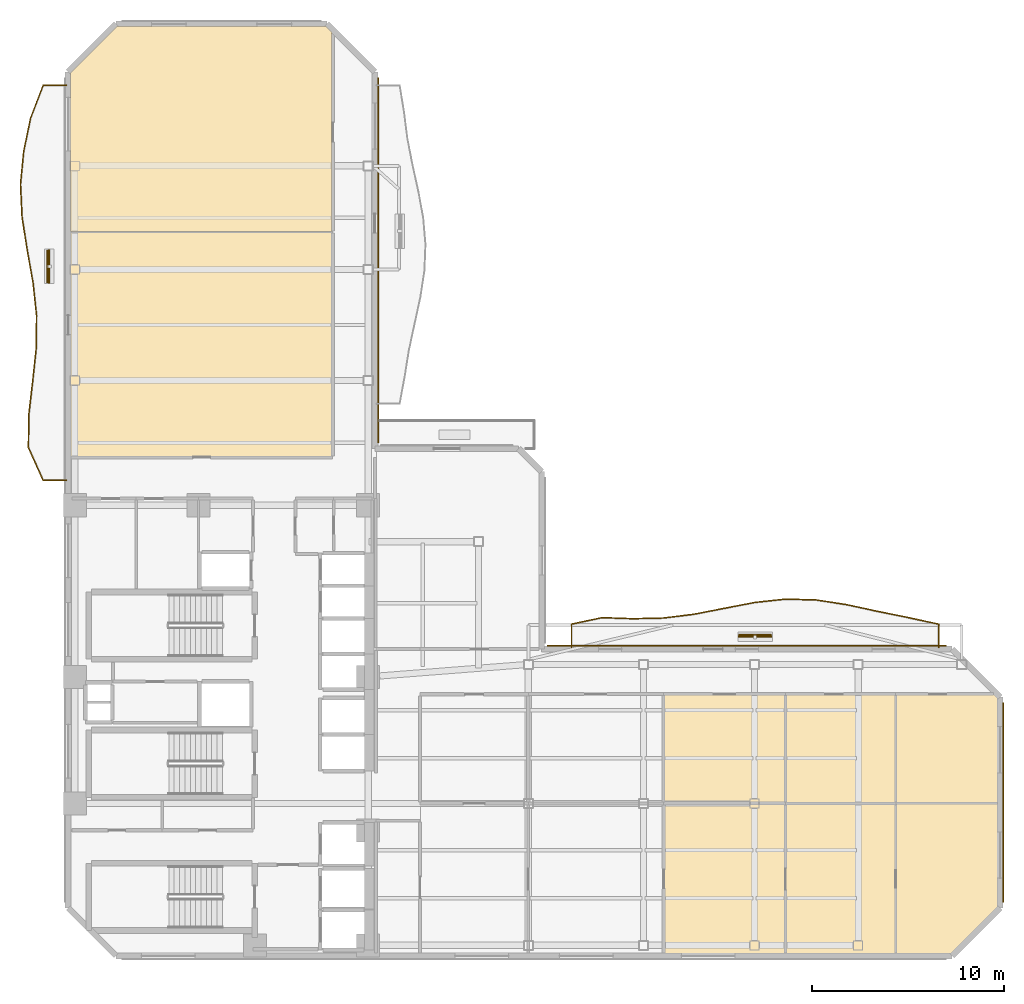
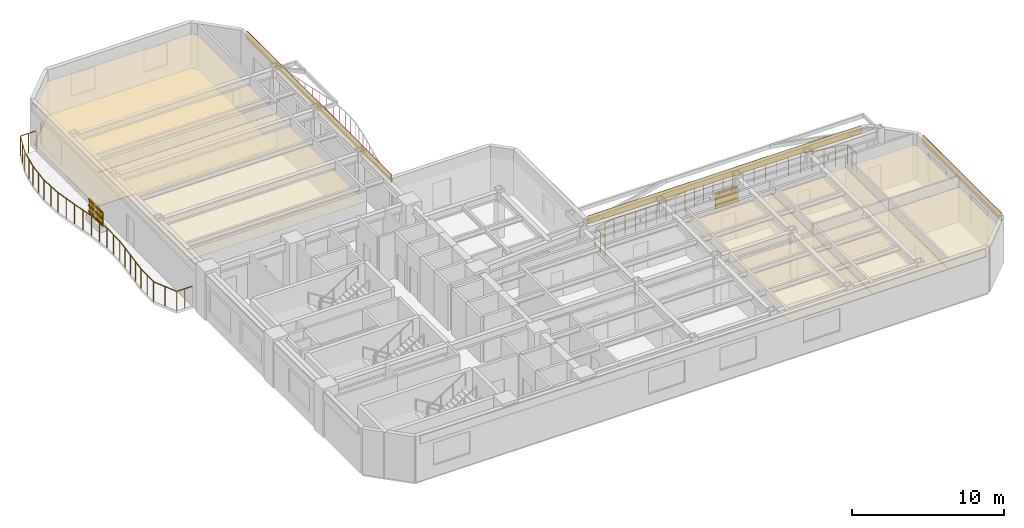
# One storey, part 11 of 12: 12 coverings, 8 shading devices, 2 railings.
"""IFC4 building model written with IfcOpenShell, lengths in metres."""

from ifc_helpers import new_model, si_unit, direction, frame, origin, origin_2d, place, context, subcontext, project, spatial, polyline, rectangle, outline, extrude, material, layer, layer_set, material_profile, profile_set, type_object, element, save


model = new_model("IFC4")

# Units and contexts
model_context = context("Model", 3, precision=1e-05, world=origin(), true_north=direction((0.0, 1.0)))
body_context = subcontext(model_context, "Body", "Model", "MODEL_VIEW")
ifc_project = project(units=[si_unit("LENGTHUNIT", "METRE"), si_unit("AREAUNIT", "SQUARE_METRE"), si_unit("VOLUMEUNIT", "CUBIC_METRE"), si_unit("PLANEANGLEUNIT", "RADIAN"), si_unit("MASSUNIT", "GRAM", prefix="KILO")], contexts=[model_context])

# Site, building, storey
site_placement = place(None, origin())
site = spatial("IfcSite", under=ifc_project, at=site_placement, CompositionType="ELEMENT")
building_placement = place(site_placement, origin())
building = spatial("IfcBuilding", under=site, at=building_placement, Name="Mawjaban Terraces University", CompositionType="ELEMENT")
storey_placement = place(building_placement, frame((0.0, 0.0, 134.60009765625)))
storey = spatial("IfcBuildingStorey", under=building, at=storey_placement, Name="L32", CompositionType="ELEMENT", Elevation=134.60009765625)

# Coverings
ifc_material_1 = material(Name="Acoustic mineral fibre ceiling tile", Category="masonry")
ifc_layer_1 = layer(ifc_material_1, 0.02001953125)
ifc_layer_set_1 = layer_set([ifc_layer_1], Name="Acoustic mineral fibre ceiling tile")
covering_type_1 = type_object("IfcCoveringType", Name="AcousticMineralCeiling_20", PredefinedType="CEILING", material=ifc_layer_set_1)
covering_1_placement = place(storey_placement, frame((0.0, 0.0, 2.75)))
element("IfcCovering", 1, at=covering_1_placement, inside=storey, type_object=covering_type_1, Name="L32 Design Studio 6 Acoustic Ceiling", PredefinedType="CEILING", context=body_context, shape_type="SweptSolid", body=[
    extrude(outline(polyline([(53.0849609375, 0.114990234375), (59.376953125, 0.114990234375), (59.376953125, 7.919921875), (53.0849609375, 7.919921875), (53.0849609375, 0.114990234375)])), origin(), (0.0, 0.0, 1.0), 0.02001953125),
])
covering_2_placement = place(storey_placement, frame((0.0, 0.0, 2.75)))
element("IfcCovering", 2, at=covering_2_placement, inside=storey, type_object=covering_type_1, Name="L32 Computational Laboratory 7 Acoustic Ceiling", PredefinedType="CEILING", context=body_context, shape_type="SweptSolid", body=[
    extrude(outline(polyline([(59.376953125, 7.97998046875), (59.376953125, 13.6201171875), (53.0849609375, 13.6201171875), (53.0849609375, 7.97998046875), (59.376953125, 7.97998046875)])), origin(), (0.0, 0.0, 1.0), 0.02001953125),
])
covering_3_placement = place(storey_placement, frame((0.0, 0.0, 2.75)))
element("IfcCovering", 3, at=covering_3_placement, inside=storey, type_object=covering_type_1, Name="L32 Teaching Laboratory 8 Acoustic Ceiling", PredefinedType="CEILING", context=body_context, shape_type="SweptSolid", body=[
    extrude(outline(polyline([(59.43701171875, 0.114990234375), (65.125, 0.114990234375), (65.125, 7.919921875), (59.43701171875, 7.919921875), (59.43701171875, 0.114990234375)])), origin(), (0.0, 0.0, 1.0), 0.02001953125),
])
covering_4_placement = place(storey_placement, frame((0.0, 0.0, 2.75)))
element("IfcCovering", 4, at=covering_4_placement, inside=storey, type_object=covering_type_1, Name="L32 Student Tea Pantry 9 Acoustic Ceiling", PredefinedType="CEILING", context=body_context, shape_type="SweptSolid", body=[
    extrude(outline(polyline([(65.125, 7.97998046875), (65.125, 13.6201171875), (59.43701171875, 13.6201171875), (59.43701171875, 7.97998046875), (65.125, 7.97998046875)])), origin(), (0.0, 0.0, 1.0), 0.02001953125),
])
covering_5_placement = place(storey_placement, frame((0.0, 0.0, 2.75)))
element("IfcCovering", 5, at=covering_5_placement, inside=storey, type_object=covering_type_1, Name="L32 Student Tea Pantry 10 Acoustic Ceiling", PredefinedType="CEILING", context=body_context, shape_type="SweptSolid", body=[
    extrude(outline(polyline([(65.18505859375, 0.114990234375), (68.052978515625, 0.114990234375), (70.485107421875, 2.547119140625), (70.485107421875, 7.919921875), (65.18505859375, 7.919921875), (65.18505859375, 0.114990234375)])), origin(), (0.0, 0.0, 1.0), 0.02001953125),
])
covering_6_placement = place(storey_placement, frame((0.0, 0.0, 2.75)))
element("IfcCovering", 6, at=covering_6_placement, inside=storey, type_object=covering_type_1, Name="L32 Faculty Office 11 Acoustic Ceiling", PredefinedType="CEILING", context=body_context, shape_type="SweptSolid", body=[
    extrude(outline(polyline([(70.485107421875, 7.97998046875), (70.485107421875, 13.452880859375), (70.318115234375, 13.6201171875), (65.18505859375, 13.6201171875), (65.18505859375, 7.97998046875), (70.485107421875, 7.97998046875)])), origin(), (0.0, 0.0, 1.0), 0.02001953125),
])
covering_7_placement = place(storey_placement, frame((0.0, 0.0, 2.75)))
element("IfcCovering", 7, at=covering_7_placement, inside=storey, type_object=covering_type_1, Name="L32 Departmental Office 12 Acoustic Ceiling", PredefinedType="CEILING", context=body_context, shape_type="SweptSolid", body=[
    extrude(outline(polyline([(22.114990234375, 37.721923828125), (22.114990234375, 26.030029296875), (35.77001953125, 26.030029296875), (35.77001953125, 37.721923828125), (22.114990234375, 37.721923828125)])), origin(), (0.0, 0.0, 1.0), 0.02001953125),
])
covering_8_placement = place(storey_placement, frame((0.0, 0.0, 2.75)))
element("IfcCovering", 8, at=covering_8_placement, inside=storey, type_object=covering_type_1, Name="L32 Classroom 13 Acoustic Ceiling", PredefinedType="CEILING", context=body_context, shape_type="SweptSolid", body=[
    extrude(outline(polyline([(35.77001953125, 48.16796875), (35.452880859375, 48.485107421875), (24.547119140625, 48.485107421875), (22.114990234375, 46.052978515625), (22.114990234375, 37.781982421875), (35.77001953125, 37.781982421875), (35.77001953125, 48.16796875)])), origin(), (0.0, 0.0, 1.0), 0.02001953125),
])

# Railings
ifc_material_2 = material(Name="Galvanised powder-coated steel S355", Category="steel")
railing_type = type_object("IfcRailingType", Name="BalconyBalustrade_1600", PredefinedType="BALUSTRADE", material=ifc_material_2)
railing_1_placement = place(storey_placement, frame((21.919921875, 24.800048828125, 0.0)))
element("IfcRailing", 9, at=railing_1_placement, inside=storey, type_object=railing_type, Name="L32 Balcony Guardrail west", PredefinedType="BALUSTRADE", context=body_context, shape_type="SweptSolid", body=[
    extrude(rectangle(XDim=0.048095703125, YDim=0.048095703125, at=origin_2d()), frame((0.0, 0.0, 1.576171875), z_axis=(-1.0, 0.0, 0.0), x_axis=(0.0, -1.0, 0.0)), (0.0, 0.0, 1.0), 1.219970703125),
    extrude(rectangle(XDim=0.048095703125, YDim=0.048095703125, at=origin_2d()), frame((-1.219970703125, 0.0, 1.576171875), z_axis=(-0.410057297483, 0.912059763821, 0.0), x_axis=(-0.912059763821, -0.410057297483, 0.0)), (0.0, 0.0, 1.0), 1.882568359375),
    extrude(rectangle(XDim=0.048095703125, YDim=0.048095703125, at=origin_2d()), frame((-1.991943359375, 1.717041015625, 1.576171875), z_axis=(0.012804869278, 0.999918014301, 0.0), x_axis=(-0.999918014301, 0.012804869278, 0.0)), (0.0, 0.0, 1.0), 1.716064453125),
    extrude(rectangle(XDim=0.048095703125, YDim=0.048095703125, at=origin_2d()), frame((-1.969970703125, 3.432861328125, 1.576171875), z_axis=(0.114554410221, 0.993416975443, 0.0), x_axis=(-0.993416975443, 0.114554410221, 0.0)), (0.0, 0.0, 1.0), 1.728515625),
    extrude(rectangle(XDim=0.048095703125, YDim=0.048095703125, at=origin_2d()), frame((-1.77197265625, 5.14990234375, 1.576171875), z_axis=(0.106598017622, 0.994302198851, 0.0), x_axis=(-0.994302198851, 0.106598017622, 0.0)), (0.0, 0.0, 1.0), 1.726806640625),
    extrude(rectangle(XDim=0.048095703125, YDim=0.048095703125, at=origin_2d()), frame((-1.587890625, 6.866943359375, 1.576171875), z_axis=(0.012803047857, 0.999918037624, 0.0), x_axis=(-0.999918037624, 0.012803047857, 0.0)), (0.0, 0.0, 1.0), 1.71630859375),
    extrude(rectangle(XDim=0.048095703125, YDim=0.048095703125, at=origin_2d()), frame((-1.56591796875, 8.5830078125, 1.576171875), z_axis=(-0.106598017622, 0.994302198851, 0.0), x_axis=(-0.994302198851, -0.106598017622, 0.0)), (0.0, 0.0, 1.0), 1.726806640625),
    extrude(rectangle(XDim=0.048095703125, YDim=0.048095703125, at=origin_2d()), frame((-1.75, 10.300048828125, 1.576171875), z_axis=(-0.175965058491, 0.984396413134, 0.0), x_axis=(-0.984396413134, -0.175965058491, 0.0)), (0.0, 0.0, 1.0), 1.743896484375),
    extrude(rectangle(XDim=0.048095703125, YDim=0.048095703125, at=origin_2d()), frame((-2.056884765625, 12.016845703125, 1.576171875), z_axis=(-0.154338288951, 0.988018062873, 0.0), x_axis=(-0.988018062873, -0.154338288951, 0.0)), (0.0, 0.0, 1.0), 1.73681640625),
    extrude(rectangle(XDim=0.048095703125, YDim=0.048095703125, at=origin_2d()), frame((-2.324951171875, 13.73291015625, 1.576171875), z_axis=(-0.046586645091, 0.998914252826, 0.0), x_axis=(-0.998914252826, -0.046586645091, 0.0)), (0.0, 0.0, 1.0), 1.718994140625),
    extrude(rectangle(XDim=0.048095703125, YDim=0.048095703125, at=origin_2d()), frame((-2.405029296875, 15.449951171875, 1.576171875), z_axis=(0.096799075364, 0.995303943029, 0.0), x_axis=(-0.995303943029, 0.096799075364, 0.0)), (0.0, 0.0, 1.0), 1.72509765625),
    extrude(rectangle(XDim=0.048095703125, YDim=0.048095703125, at=origin_2d()), frame((-2.238037109375, 17.1669921875, 1.576171875), z_axis=(0.204304609806, 0.97890736355, 0.0), x_axis=(-0.97890736355, 0.204304609806, 0.0)), (0.0, 0.0, 1.0), 1.7529296875),
    extrude(rectangle(XDim=0.048095703125, YDim=0.048095703125, at=origin_2d()), frame((-1.8798828125, 18.883056640625, 1.576171875), z_axis=(0.358792280253, 0.933417430537, 0.0), x_axis=(-0.933417430537, 0.358792280253, 0.0)), (0.0, 0.0, 1.0), 1.83935546875),
    extrude(rectangle(XDim=0.048095703125, YDim=0.048095703125, at=origin_2d()), frame((-1.219970703125, 20.599853515625, 1.576171875), z_axis=(1.0, 0.0, 0.0), x_axis=(0.0, 1.0, 0.0)), (0.0, 0.0, 1.0), 1.219970703125),
    extrude(rectangle(XDim=0.0419921875, YDim=0.0419921875, at=origin_2d()), origin(), (0.0, 0.0, 1.0), 1.552001953125),
    extrude(rectangle(XDim=0.0419921875, YDim=0.0419921875, at=origin_2d()), frame((-0.60986328125, 0.0, 0.0)), (0.0, 0.0, 1.0), 1.552001953125),
    extrude(rectangle(XDim=0.0419921875, YDim=0.0419921875, at=origin_2d()), frame((-1.219970703125, 0.0, 0.0)), (0.0, 0.0, 1.0), 1.552001953125),
    extrude(rectangle(XDim=0.0419921875, YDim=0.0419921875, at=origin_2d()), frame((-1.60595703125, 0.8583984375, 0.0)), (0.0, 0.0, 1.0), 1.552001953125),
    extrude(rectangle(XDim=0.0419921875, YDim=0.0419921875, at=origin_2d()), frame((-1.991943359375, 1.717041015625, 0.0)), (0.0, 0.0, 1.0), 1.552001953125),
    extrude(rectangle(XDim=0.0419921875, YDim=0.0419921875, at=origin_2d()), frame((-1.98095703125, 2.574951171875, 0.0)), (0.0, 0.0, 1.0), 1.552001953125),
    extrude(rectangle(XDim=0.0419921875, YDim=0.0419921875, at=origin_2d()), frame((-1.969970703125, 3.432861328125, 0.0)), (0.0, 0.0, 1.0), 1.552001953125),
    extrude(rectangle(XDim=0.0419921875, YDim=0.0419921875, at=origin_2d()), frame((-1.87109375, 4.29150390625, 0.0)), (0.0, 0.0, 1.0), 1.552001953125),
    extrude(rectangle(XDim=0.0419921875, YDim=0.0419921875, at=origin_2d()), frame((-1.77197265625, 5.14990234375, 0.0)), (0.0, 0.0, 1.0), 1.552001953125),
    extrude(rectangle(XDim=0.0419921875, YDim=0.0419921875, at=origin_2d()), frame((-1.679931640625, 6.00830078125, 0.0)), (0.0, 0.0, 1.0), 1.552001953125),
    extrude(rectangle(XDim=0.0419921875, YDim=0.0419921875, at=origin_2d()), frame((-1.587890625, 6.866943359375, 0.0)), (0.0, 0.0, 1.0), 1.552001953125),
    extrude(rectangle(XDim=0.0419921875, YDim=0.0419921875, at=origin_2d()), frame((-1.576904296875, 7.72509765625, 0.0)), (0.0, 0.0, 1.0), 1.552001953125),
    extrude(rectangle(XDim=0.0419921875, YDim=0.0419921875, at=origin_2d()), frame((-1.56591796875, 8.5830078125, 0.0)), (0.0, 0.0, 1.0), 1.552001953125),
    extrude(rectangle(XDim=0.0419921875, YDim=0.0419921875, at=origin_2d()), frame((-1.657958984375, 9.44140625, 0.0)), (0.0, 0.0, 1.0), 1.552001953125),
    extrude(rectangle(XDim=0.0419921875, YDim=0.0419921875, at=origin_2d()), frame((-1.75, 10.300048828125, 0.0)), (0.0, 0.0, 1.0), 1.552001953125),
    extrude(rectangle(XDim=0.0419921875, YDim=0.0419921875, at=origin_2d()), frame((-1.9033203125, 11.158447265625, 0.0)), (0.0, 0.0, 1.0), 1.552001953125),
    extrude(rectangle(XDim=0.0419921875, YDim=0.0419921875, at=origin_2d()), frame((-2.056884765625, 12.016845703125, 0.0)), (0.0, 0.0, 1.0), 1.552001953125),
    extrude(rectangle(XDim=0.0419921875, YDim=0.0419921875, at=origin_2d()), frame((-2.19091796875, 12.875, 0.0)), (0.0, 0.0, 1.0), 1.552001953125),
    extrude(rectangle(XDim=0.0419921875, YDim=0.0419921875, at=origin_2d()), frame((-2.324951171875, 13.73291015625, 0.0)), (0.0, 0.0, 1.0), 1.552001953125),
    extrude(rectangle(XDim=0.0419921875, YDim=0.0419921875, at=origin_2d()), frame((-2.364990234375, 14.59130859375, 0.0)), (0.0, 0.0, 1.0), 1.552001953125),
    extrude(rectangle(XDim=0.0419921875, YDim=0.0419921875, at=origin_2d()), frame((-2.405029296875, 15.449951171875, 0.0)), (0.0, 0.0, 1.0), 1.552001953125),
    extrude(rectangle(XDim=0.0419921875, YDim=0.0419921875, at=origin_2d()), frame((-2.321533203125, 16.30859375, 0.0)), (0.0, 0.0, 1.0), 1.552001953125),
    extrude(rectangle(XDim=0.0419921875, YDim=0.0419921875, at=origin_2d()), frame((-2.238037109375, 17.1669921875, 0.0)), (0.0, 0.0, 1.0), 1.552001953125),
    extrude(rectangle(XDim=0.0419921875, YDim=0.0419921875, at=origin_2d()), frame((-2.05908203125, 18.02490234375, 0.0)), (0.0, 0.0, 1.0), 1.552001953125),
    extrude(rectangle(XDim=0.0419921875, YDim=0.0419921875, at=origin_2d()), frame((-1.8798828125, 18.883056640625, 0.0)), (0.0, 0.0, 1.0), 1.552001953125),
    extrude(rectangle(XDim=0.0419921875, YDim=0.0419921875, at=origin_2d()), frame((-1.5498046875, 19.741455078125, 0.0)), (0.0, 0.0, 1.0), 1.552001953125),
    extrude(rectangle(XDim=0.0419921875, YDim=0.0419921875, at=origin_2d()), frame((-1.219970703125, 20.599853515625, 0.0)), (0.0, 0.0, 1.0), 1.552001953125),
    extrude(rectangle(XDim=0.0419921875, YDim=0.0419921875, at=origin_2d()), frame((-0.60986328125, 20.599853515625, 0.0)), (0.0, 0.0, 1.0), 1.552001953125),
    extrude(rectangle(XDim=0.0419921875, YDim=0.0419921875, at=origin_2d()), frame((0.0, 20.599853515625, 0.0)), (0.0, 0.0, 1.0), 1.552001953125),
])
railing_2_placement = place(storey_placement, frame((48.2509765625, 16.080078125, 0.0)))
element("IfcRailing", 10, at=railing_2_placement, inside=storey, type_object=railing_type, Name="L32 Balcony Guardrail inner_north", PredefinedType="BALUSTRADE", context=body_context, shape_type="SweptSolid", body=[
    extrude(rectangle(XDim=0.048095703125, YDim=0.048095703125, at=origin_2d()), frame((0.0, 0.0, 1.576171875), z_axis=(0.0, 1.0, 0.0), x_axis=(-1.0, 0.0, 0.0)), (0.0, 0.0, 1.0), 1.219970703125),
    extrude(rectangle(XDim=0.048095703125, YDim=0.048095703125, at=origin_2d()), frame((0.0, 1.219970703125, 1.576171875), z_axis=(0.977918293368, 0.208987586941, 0.0), x_axis=(-0.208987586941, 0.977918293368, 0.0)), (0.0, 0.0, 1.0), 1.632080078125),
    extrude(rectangle(XDim=0.048095703125, YDim=0.048095703125, at=origin_2d()), frame((1.595947265625, 1.56103515625, 1.576171875), z_axis=(0.99938084858, -0.035184080082, 0.0), x_axis=(0.035184080082, 0.99938084858, 0.0)), (0.0, 0.0, 1.0), 1.595947265625),
    extrude(rectangle(XDim=0.048095703125, YDim=0.048095703125, at=origin_2d()), frame((3.19091796875, 1.5048828125, 1.576171875), z_axis=(0.999757536046, 0.022019743835, 0.0), x_axis=(-0.022019743835, 0.999757536046, 0.0)), (0.0, 0.0, 1.0), 1.5966796875),
    extrude(rectangle(XDim=0.048095703125, YDim=0.048095703125, at=origin_2d()), frame((4.787109375, 1.5400390625, 1.576171875), z_axis=(0.992484367413, 0.122371485411, 0.0), x_axis=(-0.122371485411, 0.992484367413, 0.0)), (0.0, 0.0, 1.0), 1.608154296875),
    extrude(rectangle(XDim=0.048095703125, YDim=0.048095703125, at=origin_2d()), frame((6.383056640625, 1.73681640625, 1.576171875), z_axis=(0.981420320551, 0.191870149865, 0.0), x_axis=(-0.191870149865, 0.981420320551, 0.0)), (0.0, 0.0, 1.0), 1.626220703125),
    extrude(rectangle(XDim=0.048095703125, YDim=0.048095703125, at=origin_2d()), frame((7.97900390625, 2.048828125, 1.576171875), z_axis=(0.981870131855, 0.189554857947, 0.0), x_axis=(-0.189554857947, 0.981870131855, 0.0)), (0.0, 0.0, 1.0), 1.62548828125),
    extrude(rectangle(XDim=0.048095703125, YDim=0.048095703125, at=origin_2d()), frame((9.574951171875, 2.35693359375, 1.576171875), z_axis=(0.994372890684, 0.105936557771, 0.0), x_axis=(-0.105936557771, 0.994372890684, 0.0)), (0.0, 0.0, 1.0), 1.60400390625),
    extrude(rectangle(XDim=0.048095703125, YDim=0.048095703125, at=origin_2d()), frame((11.169921875, 2.52685546875, 1.576171875), z_axis=(0.999604216278, -0.028132024441, 0.0), x_axis=(0.028132024441, 0.999604216278, 0.0)), (0.0, 0.0, 1.0), 1.596923828125),
    extrude(rectangle(XDim=0.048095703125, YDim=0.048095703125, at=origin_2d()), frame((12.76611328125, 2.48193359375, 1.576171875), z_axis=(0.988319203568, -0.152398004772, 0.0), x_axis=(0.152398004772, 0.988319203568, 0.0)), (0.0, 0.0, 1.0), 1.61474609375),
    extrude(rectangle(XDim=0.048095703125, YDim=0.048095703125, at=origin_2d()), frame((14.362060546875, 2.23583984375, 1.576171875), z_axis=(0.977179062117, -0.212417232258, 0.0), x_axis=(0.212417232258, 0.977179062117, 0.0)), (0.0, 0.0, 1.0), 1.63330078125),
    extrude(rectangle(XDim=0.048095703125, YDim=0.048095703125, at=origin_2d()), frame((15.9580078125, 1.888916015625, 1.576171875), z_axis=(0.979987776807, -0.199057673324, 0.0), x_axis=(0.199057673324, 0.979987776807, 0.0)), (0.0, 0.0, 1.0), 1.62744140625),
    extrude(rectangle(XDim=0.048095703125, YDim=0.048095703125, at=origin_2d()), frame((17.552978515625, 1.56494140625, 1.576171875), z_axis=(0.977426684775, -0.211274882299, 0.0), x_axis=(0.211274882299, 0.977426684775, 0.0)), (0.0, 0.0, 1.0), 1.6328125),
    extrude(rectangle(XDim=0.048095703125, YDim=0.048095703125, at=origin_2d()), frame((19.14892578125, 1.219970703125, 1.576171875), z_axis=(0.0, -1.0, 0.0), x_axis=(1.0, 0.0, 0.0)), (0.0, 0.0, 1.0), 1.219970703125),
    extrude(rectangle(XDim=0.0419921875, YDim=0.0419921875, at=origin_2d()), origin(), (0.0, 0.0, 1.0), 1.552001953125),
    extrude(rectangle(XDim=0.0419921875, YDim=0.0419921875, at=origin_2d()), frame((0.0, 0.60986328125, 0.0)), (0.0, 0.0, 1.0), 1.552001953125),
    extrude(rectangle(XDim=0.0419921875, YDim=0.0419921875, at=origin_2d()), frame((0.0, 1.219970703125, 0.0)), (0.0, 0.0, 1.0), 1.552001953125),
    extrude(rectangle(XDim=0.0419921875, YDim=0.0419921875, at=origin_2d()), frame((0.7978515625, 1.390625, 0.0)), (0.0, 0.0, 1.0), 1.552001953125),
    extrude(rectangle(XDim=0.0419921875, YDim=0.0419921875, at=origin_2d()), frame((1.595947265625, 1.56103515625, 0.0)), (0.0, 0.0, 1.0), 1.552001953125),
    extrude(rectangle(XDim=0.0419921875, YDim=0.0419921875, at=origin_2d()), frame((2.3935546875, 1.532958984375, 0.0)), (0.0, 0.0, 1.0), 1.552001953125),
    extrude(rectangle(XDim=0.0419921875, YDim=0.0419921875, at=origin_2d()), frame((3.19091796875, 1.5048828125, 0.0)), (0.0, 0.0, 1.0), 1.552001953125),
    extrude(rectangle(XDim=0.0419921875, YDim=0.0419921875, at=origin_2d()), frame((3.989013671875, 1.5224609375, 0.0)), (0.0, 0.0, 1.0), 1.552001953125),
    extrude(rectangle(XDim=0.0419921875, YDim=0.0419921875, at=origin_2d()), frame((4.787109375, 1.5400390625, 0.0)), (0.0, 0.0, 1.0), 1.552001953125),
    extrude(rectangle(XDim=0.0419921875, YDim=0.0419921875, at=origin_2d()), frame((5.5849609375, 1.638427734375, 0.0)), (0.0, 0.0, 1.0), 1.552001953125),
    extrude(rectangle(XDim=0.0419921875, YDim=0.0419921875, at=origin_2d()), frame((6.383056640625, 1.73681640625, 0.0)), (0.0, 0.0, 1.0), 1.552001953125),
    extrude(rectangle(XDim=0.0419921875, YDim=0.0419921875, at=origin_2d()), frame((7.18115234375, 1.892822265625, 0.0)), (0.0, 0.0, 1.0), 1.552001953125),
    extrude(rectangle(XDim=0.0419921875, YDim=0.0419921875, at=origin_2d()), frame((7.97900390625, 2.048828125, 0.0)), (0.0, 0.0, 1.0), 1.552001953125),
    extrude(rectangle(XDim=0.0419921875, YDim=0.0419921875, at=origin_2d()), frame((8.77685546875, 2.202880859375, 0.0)), (0.0, 0.0, 1.0), 1.552001953125),
    extrude(rectangle(XDim=0.0419921875, YDim=0.0419921875, at=origin_2d()), frame((9.574951171875, 2.35693359375, 0.0)), (0.0, 0.0, 1.0), 1.552001953125),
    extrude(rectangle(XDim=0.0419921875, YDim=0.0419921875, at=origin_2d()), frame((10.37255859375, 2.44189453125, 0.0)), (0.0, 0.0, 1.0), 1.552001953125),
    extrude(rectangle(XDim=0.0419921875, YDim=0.0419921875, at=origin_2d()), frame((11.169921875, 2.52685546875, 0.0)), (0.0, 0.0, 1.0), 1.552001953125),
    extrude(rectangle(XDim=0.0419921875, YDim=0.0419921875, at=origin_2d()), frame((11.968017578125, 2.50439453125, 0.0)), (0.0, 0.0, 1.0), 1.552001953125),
    extrude(rectangle(XDim=0.0419921875, YDim=0.0419921875, at=origin_2d()), frame((12.76611328125, 2.48193359375, 0.0)), (0.0, 0.0, 1.0), 1.552001953125),
    extrude(rectangle(XDim=0.0419921875, YDim=0.0419921875, at=origin_2d()), frame((13.56396484375, 2.35888671875, 0.0)), (0.0, 0.0, 1.0), 1.552001953125),
    extrude(rectangle(XDim=0.0419921875, YDim=0.0419921875, at=origin_2d()), frame((14.362060546875, 2.23583984375, 0.0)), (0.0, 0.0, 1.0), 1.552001953125),
    extrude(rectangle(XDim=0.0419921875, YDim=0.0419921875, at=origin_2d()), frame((15.16015625, 2.0625, 0.0)), (0.0, 0.0, 1.0), 1.552001953125),
    extrude(rectangle(XDim=0.0419921875, YDim=0.0419921875, at=origin_2d()), frame((15.9580078125, 1.888916015625, 0.0)), (0.0, 0.0, 1.0), 1.552001953125),
    extrude(rectangle(XDim=0.0419921875, YDim=0.0419921875, at=origin_2d()), frame((16.75537109375, 1.72705078125, 0.0)), (0.0, 0.0, 1.0), 1.552001953125),
    extrude(rectangle(XDim=0.0419921875, YDim=0.0419921875, at=origin_2d()), frame((17.552978515625, 1.56494140625, 0.0)), (0.0, 0.0, 1.0), 1.552001953125),
    extrude(rectangle(XDim=0.0419921875, YDim=0.0419921875, at=origin_2d()), frame((18.35107421875, 1.392578125, 0.0)), (0.0, 0.0, 1.0), 1.552001953125),
    extrude(rectangle(XDim=0.0419921875, YDim=0.0419921875, at=origin_2d()), frame((19.14892578125, 1.219970703125, 0.0)), (0.0, 0.0, 1.0), 1.552001953125),
    extrude(rectangle(XDim=0.0419921875, YDim=0.0419921875, at=origin_2d()), frame((19.14892578125, 0.60986328125, 0.0)), (0.0, 0.0, 1.0), 1.552001953125),
    extrude(rectangle(XDim=0.0419921875, YDim=0.0419921875, at=origin_2d()), frame((19.14892578125, 0.0, 0.0)), (0.0, 0.0, 1.0), 1.552001953125),
])

# Shading devices
ifc_material_3 = material(Name="Glazed architectural terracotta ceramic", Category="masonry")
ifc_material_profile = material_profile(ifc_material_3, rectangle(XDim=0.06494140625, YDim=0.110107421875, at=origin_2d()), Name="TBAG110X65")
ifc_profile_set = profile_set([ifc_material_profile], Name="Glazed architectural terracotta ceramic")
shading_device_type_1 = type_object("IfcShadingDeviceType", Name="TerracottaBaguette_110x65", PredefinedType="USERDEFINED", material=ifc_profile_set)
for number, where, z_axis, x_axis, name in (
    (11, (20.927978515625, 35.10888671875, 0.679931640625), (0.0, 1.0, 0.0), (-1.0, 0.0, 0.0), "L32 Horizontal Terracotta Baguette west.1"),
    (12, (20.927978515625, 35.10888671875, 1.14990234375), (0.0, 1.0, 0.0), (-1.0, 0.0, 0.0), "L32 Horizontal Terracotta Baguette west.2"),
    (13, (20.927978515625, 35.10888671875, 1.619873046875), (0.0, 1.0, 0.0), (-1.0, 0.0, 0.0), "L32 Horizontal Terracotta Baguette west.3"),
):
    element("IfcShadingDevice", number, at=place(storey_placement, frame(where, z_axis=z_axis, x_axis=x_axis)), inside=storey, type_object=shading_device_type_1, Name=name, ObjectType="BAGUETTE", PredefinedType="USERDEFINED", context=body_context, shape_type="SweptSolid", body=[
        extrude(rectangle(XDim=0.06494140625, YDim=0.110107421875, at=origin_2d()), origin(), (0.0, 0.0, 1.0), 1.7001953125),
    ])
for number, where, z_axis, x_axis, name in (
    (14, (56.97607421875, 16.72998046875, 0.679931640625), (1.0, 0.0, 0.0), (0.0, 1.0, 0.0), "L32 Horizontal Terracotta Baguette inner_north.1"),
    (15, (56.97607421875, 16.72998046875, 1.14990234375), (1.0, 0.0, 0.0), (0.0, 1.0, 0.0), "L32 Horizontal Terracotta Baguette inner_north.2"),
    (16, (56.97607421875, 16.72998046875, 1.619873046875), (1.0, 0.0, 0.0), (0.0, 1.0, 0.0), "L32 Horizontal Terracotta Baguette inner_north.3"),
):
    element("IfcShadingDevice", number, at=place(storey_placement, frame(where, z_axis=z_axis, x_axis=x_axis)), inside=storey, type_object=shading_device_type_1, Name=name, ObjectType="BAGUETTE", PredefinedType="USERDEFINED", context=body_context, shape_type="SweptSolid", body=[
        extrude(rectangle(XDim=0.06494140625, YDim=0.110107421875, at=origin_2d()), origin(), (0.0, 0.0, 1.0), 1.699951171875),
    ])
ifc_layer_2 = layer(ifc_material_3, 0.080078125)
ifc_layer_set_2 = layer_set([ifc_layer_2], Name="Glazed architectural terracotta ceramic")
shading_device_type_2 = type_object("IfcShadingDeviceType", Name="TerracottaScreen_Perforated", PredefinedType="USERDEFINED", material=ifc_layer_set_2)
for number, where, z_axis, x_axis, name in (
    (17, (21.012939453125, 35.958984375, 0.43994140625), (0.0, 0.0, 1.0), (0.0, 1.0, 0.0), "L32 Balcony Perforated Terracotta Screen west"),
    (18, (57.825927734375, 16.64501953125, 0.43994140625), (0.0, 0.0, 1.0), (1.0, 0.0, 0.0), "L32 Balcony Perforated Terracotta Screen inner_north"),
):
    element("IfcShadingDevice", number, at=place(storey_placement, frame(where, z_axis=z_axis, x_axis=x_axis)), inside=storey, type_object=shading_device_type_2, Name=name, ObjectType="SCREEN", PredefinedType="USERDEFINED", context=body_context, shape_type="SweptSolid", body=[
        extrude(rectangle(XDim=1.75, YDim=0.080078125, at=origin_2d()), origin(), (0.0, 0.0, 1.0), 1.14990234375),
    ])

# Coverings
ifc_material_4 = material(Name="Glazed architectural terracotta rainscreen", Category="masonry")
ifc_layer_3 = layer(ifc_material_4, 0.06005859375)
ifc_layer_set_3 = layer_set([ifc_layer_3], Name="Glazed architectural terracotta rainscreen")
covering_type_2 = type_object("IfcCoveringType", Name="TerracottaSpandrelCladding_60", PredefinedType="CLADDING", material=ifc_layer_set_3)
covering_9_placement = place(storey_placement, frame((70.77490234375, 8.0, 3.014892578125), z_axis=(0.0, 0.0, 1.0), x_axis=(0.0, 1.0, 0.0)))
element("IfcCovering", 19, at=covering_9_placement, inside=storey, type_object=covering_type_2, Name="L32 Terracotta Spandrel Cladding 3", PredefinedType="CLADDING", context=body_context, shape_type="SweptSolid", body=[
    extrude(rectangle(XDim=10.39990234375, YDim=0.06005859375, at=origin_2d()), origin(), (0.0, 0.0, 1.0), 0.64990234375),
])
covering_10_placement = place(storey_placement, frame((57.39892578125, 16.175048828125, 3.014892578125), z_axis=(0.0, 0.0, 1.0), x_axis=(-1.0, 0.0, 0.0)))
element("IfcCovering", 20, at=covering_10_placement, inside=storey, type_object=covering_type_2, Name="L32 Terracotta Spandrel Cladding 5", PredefinedType="CLADDING", context=body_context, shape_type="SweptSolid", body=[
    extrude(rectangle(XDim=20.801025390625, YDim=0.06005859375, at=origin_2d()), origin(), (0.0, 0.0, 1.0), 0.64990234375),
])
covering_11_placement = place(storey_placement, frame((38.175048828125, 36.27490234375, 3.014892578125), z_axis=(0.0, 0.0, 1.0), x_axis=(0.0, 1.0, 0.0)))
element("IfcCovering", 21, at=covering_11_placement, inside=storey, type_object=covering_type_2, Name="L32 Terracotta Spandrel Cladding 9", PredefinedType="CLADDING", context=body_context, shape_type="SweptSolid", body=[
    extrude(rectangle(XDim=19.050048828125, YDim=0.06005859375, at=origin_2d()), origin(), (0.0, 0.0, 1.0), 0.64990234375),
])
ifc_material_5 = material(Name="Polished Hijazi granite terrazzo flooring", Category="masonry")
ifc_layer_4 = layer(ifc_material_5, 0.02490234375)
ifc_layer_set_4 = layer_set([ifc_layer_4], Name="Polished Hijazi granite terrazzo flooring")
covering_type_3 = type_object("IfcCoveringType", Name="TerrazzoConcourseFlooring_25", PredefinedType="FLOORING", material=ifc_layer_set_4)
covering_12_placement = place(storey_placement, origin())
element("IfcCovering", 22, at=covering_12_placement, inside=storey, type_object=covering_type_3, Name="L32 Classroom 13 Terrazzo Flooring", PredefinedType="FLOORING", context=body_context, shape_type="SweptSolid", body=[
    extrude(outline(polyline([(35.77001953125, 48.16796875), (35.452880859375, 48.485107421875), (24.547119140625, 48.485107421875), (22.114990234375, 46.052978515625), (22.114990234375, 37.781982421875), (35.77001953125, 37.781982421875), (35.77001953125, 48.16796875)])), origin(), (0.0, 0.0, 1.0), 0.02490234375),
])

save(model, "model.ifc")
